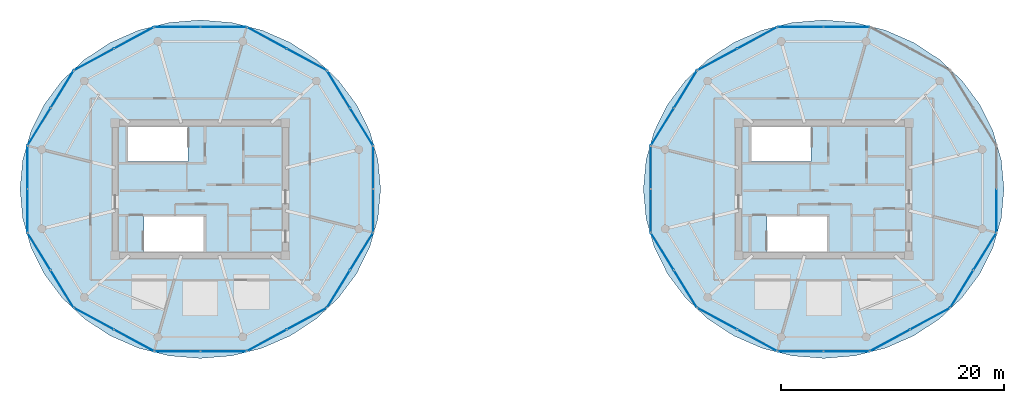
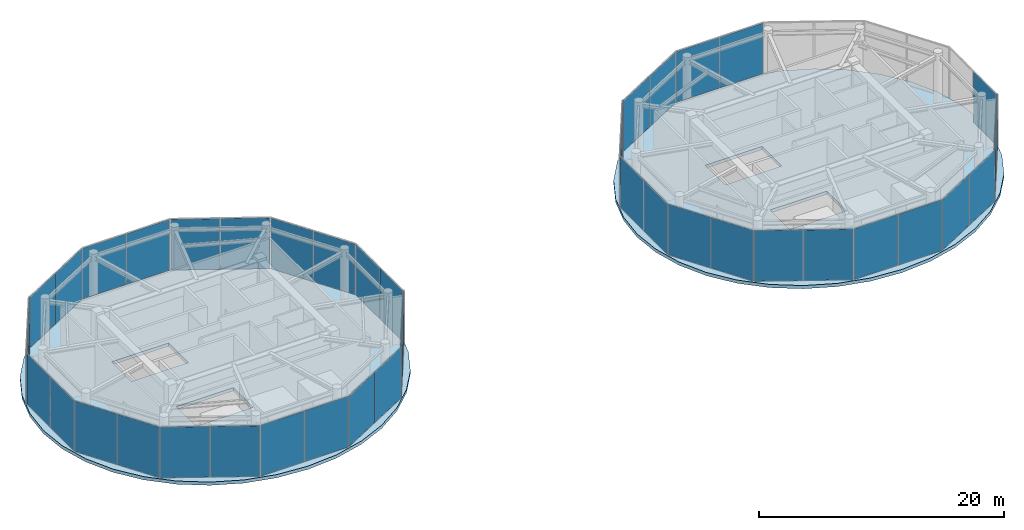
# One storey, part 9 of 15: 43 plates, 2 slabs, 22 elements without a shape of their own.
"""IFC4 building model written with IfcOpenShell, lengths in metres."""

import ifcopenshell
import ifcopenshell.guid

model = None  # the IFC model being written
_history = None  # IfcOwnerHistory: only IFC2X3 demands one
_inside = {}  # id of a spatial element -> (the spatial element, [elements in it])
_under = {}  # id of a project, library or spatial element -> (it, [spatial elements below it])
_declared = {}  # id of a project -> (the project, [libraries it declares])
_typed = {}  # id of a type object -> (the type object, [elements of that type])
_made_of = {}  # id of a material, layer set ... -> (it, [elements and type objects made of it])


def new_model(schema):
    """Start an empty IFC model of exactly this schema.

    Asked for "IFC4X3", IfcOpenShell would pick the latest addendum, in which some entities
    have other attributes; the version numbers below select the first issue.
    IFC2X3 requires an IfcOwnerHistory on every rooted entity: one is made here for all.
    """
    global model, _history
    if schema == "IFC4X3":
        model = ifcopenshell.file(schema_version=(4, 3, 0, 0))
    else:
        model = ifcopenshell.file(schema=schema)
    _inside.clear()
    _under.clear()
    _declared.clear()
    _typed.clear()
    _made_of.clear()
    _history = None
    if model.schema == "IFC2X3":
        org = make("IfcOrganization", Name="unknown")
        user = make(
            "IfcPersonAndOrganization",
            ThePerson=make("IfcPerson", FamilyName="unknown"),
            TheOrganization=org,
        )
        app = make(
            "IfcApplication",
            ApplicationDeveloper=org,
            Version="unknown",
            ApplicationFullName="unknown",
            ApplicationIdentifier="unknown",
        )
        _history = make(
            "IfcOwnerHistory",
            OwningUser=user,
            OwningApplication=app,
            ChangeAction="ADDED",
            CreationDate=0,
        )
    return model


def make(cls, **values):
    """One entity of the class cls with the attributes given. An attribute that is None is left unset."""
    return model.create_entity(
        cls, **{name: value for name, value in values.items() if value is not None}
    )


def rooted(cls, **values):
    """An entity with a GlobalId (a new one), such as an element, a storey or a relation."""
    return make(cls, GlobalId=ifcopenshell.guid.new(), OwnerHistory=_history, **values)


def si_unit(unit_type, name, prefix=None):
    """IfcSIUnit, for example si_unit("LENGTHUNIT", "METRE", prefix="MILLI")."""
    return make("IfcSIUnit", UnitType=unit_type, Prefix=prefix, Name=name)


def assignment(units):
    """IfcUnitAssignment: the units of a project."""
    return None if units is None else make("IfcUnitAssignment", Units=units)


def point(xyz):
    """IfcCartesianPoint."""
    return None if xyz is None else make("IfcCartesianPoint", Coordinates=xyz)


def direction(xyz):
    """IfcDirection."""
    return None if xyz is None else make("IfcDirection", DirectionRatios=xyz)


def frame(location, z_axis=None, x_axis=None):
    """IfcAxis2Placement3D, a coordinate frame: its origin and axes. An axis left out is left unset."""
    return make(
        "IfcAxis2Placement3D",
        Location=point(location),
        Axis=direction(z_axis),
        RefDirection=direction(x_axis),
    )


def frame_2d(location, x_axis=None):
    """IfcAxis2Placement2D, a coordinate frame in the plane: its origin and x axis."""
    return make(
        "IfcAxis2Placement2D", Location=point(location), RefDirection=direction(x_axis)
    )


def origin():
    """The frame at (0, 0, 0) with its axes left unset."""
    return frame((0.0, 0.0, 0.0))


def origin_2d():
    """The frame at (0, 0) in the plane with its x axis left unset."""
    return frame_2d((0.0, 0.0))


def place(relative_to, where):
    """IfcLocalPlacement: puts the frame where relative to a parent placement (None: the world)."""
    return make(
        "IfcLocalPlacement", PlacementRelTo=relative_to, RelativePlacement=where
    )


def context(
    kind, dimensions, precision=None, world=None, true_north=None, identifier=None
):
    """IfcGeometricRepresentationContext, for example the 3D "Model" context."""
    return make(
        "IfcGeometricRepresentationContext",
        ContextIdentifier=identifier,
        ContextType=kind,
        CoordinateSpaceDimension=dimensions,
        Precision=precision,
        WorldCoordinateSystem=world,
        TrueNorth=true_north,
    )


def subcontext(parent, identifier, kind, view, scale=None):
    """IfcGeometricRepresentationSubContext, for example "Body" below "Model"."""
    return make(
        "IfcGeometricRepresentationSubContext",
        ContextIdentifier=identifier,
        ContextType=kind,
        ParentContext=parent,
        TargetScale=scale,
        TargetView=view,
    )


def project(units=None, contexts=None):
    """IfcProject with its units and contexts."""
    return rooted(
        "IfcProject",
        Name="project",
        RepresentationContexts=contexts,
        UnitsInContext=assignment(units),
    )


def spatial(cls, under=None, at=None, **own):
    """A site, building, storey or space (cls), placed at a placement, below another one or the project."""
    s = rooted(cls, ObjectPlacement=at, **own)
    if under is not None:
        _under.setdefault(under.id(), (under, []))[1].append(s)
    return s


def polyline(points):
    """IfcPolyline through the points."""
    return make("IfcPolyline", Points=[point(p) for p in points])


def profile(cls, at=None, kind="AREA", **sizes):
    """A parametric profile (cls). Its sizes go by their IFC names, for example OverallWidth=200.0."""
    return make(cls, ProfileType=kind, Position=at, **sizes)


def rectangle(**sizes):
    """IfcRectangleProfileDef."""
    return profile("IfcRectangleProfileDef", **sizes)


def outline(outer, holes=None, kind="AREA"):
    """IfcArbitraryClosedProfileDef: a profile drawn as a closed curve; with holes, ...WithVoids."""
    if holes is None:
        return make("IfcArbitraryClosedProfileDef", ProfileType=kind, OuterCurve=outer)
    return make(
        "IfcArbitraryProfileDefWithVoids",
        ProfileType=kind,
        OuterCurve=outer,
        InnerCurves=holes,
    )


def extrude(swept, where, along, depth):
    """IfcExtrudedAreaSolid: the profile swept, set in the frame where, extruded along a direction by depth."""
    return make(
        "IfcExtrudedAreaSolid",
        SweptArea=swept,
        Position=where,
        ExtrudedDirection=direction(along),
        Depth=depth,
    )


def shape(context_of_items, identifier, shape_type, items):
    """IfcShapeRepresentation: the items that make up one representation, for example the "Body"."""
    return make(
        "IfcShapeRepresentation",
        ContextOfItems=context_of_items,
        RepresentationIdentifier=identifier,
        RepresentationType=shape_type,
        Items=items,
    )


def source(mapping_origin, context_of_items, identifier, shape_type, items):
    """IfcRepresentationMap: a shape defined once, which mapped items show again and again."""
    return make(
        "IfcRepresentationMap",
        MappingOrigin=mapping_origin,
        MappedRepresentation=shape(context_of_items, identifier, shape_type, items),
    )


def transform(
    local_origin,
    x_axis=None,
    y_axis=None,
    z_axis=None,
    scale=None,
    scale2=None,
    scale3=None,
    uniform=True,
):
    """IfcCartesianTransformationOperator3D, or its non-uniform kind. x_axis, y_axis, z_axis: its Axis1, 2, 3."""
    if uniform:
        return make(
            "IfcCartesianTransformationOperator3D",
            Axis1=direction(x_axis),
            Axis2=direction(y_axis),
            LocalOrigin=point(local_origin),
            Scale=scale,
            Axis3=direction(z_axis),
        )
    return make(
        "IfcCartesianTransformationOperator3DnonUniform",
        Axis1=direction(x_axis),
        Axis2=direction(y_axis),
        LocalOrigin=point(local_origin),
        Scale=scale,
        Axis3=direction(z_axis),
        Scale2=scale2,
        Scale3=scale3,
    )


def mapped(mapping_source, mapping_target):
    """IfcMappedItem: shows the shape of a source again, moved by a transform."""
    return make(
        "IfcMappedItem", MappingSource=mapping_source, MappingTarget=mapping_target
    )


def material(Name=None, Category=None):
    """IfcMaterial."""
    return make("IfcMaterial", Name=Name, Category=Category)


def layer(
    of_material, thickness, ventilated=None, Name=None, Category=None, Priority=None
):
    """IfcMaterialLayer: one layer of a wall or slab, of a material (None: an air gap)."""
    return make(
        "IfcMaterialLayer",
        Material=of_material,
        LayerThickness=thickness,
        IsVentilated=ventilated,
        Name=Name,
        Category=Category,
        Priority=Priority,
    )


def layer_set(layers, Name=None):
    """IfcMaterialLayerSet."""
    return make("IfcMaterialLayerSet", MaterialLayers=layers, LayerSetName=Name)


def made_of(thing, what):
    """Note that an element or type object is made of a material, layer set ...; save() writes the relation."""
    if what is not None:
        _made_of.setdefault(what.id(), (what, []))[1].append(thing)
    return thing


def type_object(cls, material=None, **own):
    """A type object (cls), such as IfcWallType, which elements share."""
    return made_of(rooted(cls, **own), material)


def type_shapes(of_type, sources):
    """Give a type object the sources (RepresentationMaps) that its elements show as mapped items."""
    of_type.RepresentationMaps = sources


def element(
    cls,
    number,
    at=None,
    inside=None,
    cuts=None,
    type_object=None,
    material=None,
    context=None,
    identifier="Body",
    shape_type=None,
    held_by="IfcProductDefinitionShape",
    body=None,
    shapes=None,
    **own,
):
    """One element of the class cls, such as IfcWall. Its Tag is "e" and its number.

    at: its placement. inside: the storey or other place that contains it. cuts: it is an
    opening in that element (IfcRelVoidsElement). A single representation is given by context,
    identifier, shape_type and body (its items); several are given by shapes. held_by: the class
    of the entity that holds the representations. save() writes the other relations.
    """
    e = rooted(cls, Tag="e%d" % number, ObjectPlacement=at, **own)
    if body is not None:
        shapes = [shape(context, identifier, shape_type, body)]
    if shapes is not None:
        e.Representation = make(held_by, Representations=shapes)
    if inside is not None:
        _inside.setdefault(inside.id(), (inside, []))[1].append(e)
    if cuts is not None:
        rooted(
            "IfcRelVoidsElement", RelatingBuildingElement=cuts, RelatedOpeningElement=e
        )
    if type_object is not None:
        _typed.setdefault(type_object.id(), (type_object, []))[1].append(e)
    return made_of(e, material)


def aggregate(whole, parts):
    """IfcRelAggregates: a whole, such as a stair, and the parts it consists of."""
    return rooted("IfcRelAggregates", RelatingObject=whole, RelatedObjects=parts)


def save(model, path):
    """Write the relations noted so far, then the file.

    IfcRelAggregates (storeys below a building ...), IfcRelContainedInSpatialStructure (elements
    in a storey), IfcRelDefinesByType, IfcRelAssociatesMaterial and IfcRelDeclares: one each for
    every whole, place, type object, material and project.
    """
    for whole, parts in _under.values():
        aggregate(whole, parts)
    for where, things in _inside.values():
        rooted(
            "IfcRelContainedInSpatialStructure",
            RelatedElements=things,
            RelatingStructure=where,
        )
    for kind, things in _typed.values():
        rooted("IfcRelDefinesByType", RelatedObjects=things, RelatingType=kind)
    for what, things in _made_of.values():
        rooted("IfcRelAssociatesMaterial", RelatedObjects=things, RelatingMaterial=what)
    for by, libraries in _declared.values():
        rooted("IfcRelDeclares", RelatingContext=by, RelatedDefinitions=libraries)
    model.write(path)


model = new_model("IFC4")

# Units and contexts
model_context = context("Model", 3, precision=1e-05, world=origin(), true_north=direction((0.0, 1.0)))
body_context = subcontext(model_context, "Body", "Model", "MODEL_VIEW")
ifc_project = project(units=[si_unit("LENGTHUNIT", "METRE"), si_unit("AREAUNIT", "SQUARE_METRE"), si_unit("VOLUMEUNIT", "CUBIC_METRE"), si_unit("PLANEANGLEUNIT", "RADIAN"), si_unit("MASSUNIT", "GRAM", prefix="KILO")], contexts=[model_context])

# Site, building, storey
site_placement = place(None, origin())
site = spatial("IfcSite", under=ifc_project, at=site_placement, CompositionType="ELEMENT")
building_placement = place(site_placement, origin())
building = spatial("IfcBuilding", under=site, at=building_placement, Name="Norrkilde Senior Care Towers", CompositionType="ELEMENT")
storey_placement = place(building_placement, frame((0.0, 0.0, 244.39990234375)))
storey = spatial("IfcBuildingStorey", under=building, at=storey_placement, Name="L76", CompositionType="ELEMENT", Elevation=244.39990234375)

# Slabs
ifc_material_1 = material(Name="Concrete C50/60", Category="concrete")
ifc_layer_1 = layer(ifc_material_1, 0.320068359375)
ifc_layer_set_1 = layer_set([ifc_layer_1], Name="Concrete C50/60")
slab_type = type_object("IfcSlabType", Name="Podium Clinic Floor Slab 320", PredefinedType="FLOOR", material=ifc_layer_set_1)
slab_1_placement = place(storey_placement, frame((0.0, 0.0, -0.31982421875)))
element("IfcSlab", 1, at=slab_1_placement, inside=storey, type_object=slab_type, Name="L76 Drum W Structural Floor Slab", PredefinedType="FLOOR", context=body_context, shape_type="SweptSolid", body=[
    extrude(outline(polyline([(-12.777099609375, -5.19873046875), (-13.970458984375, -7.60009765625), (-15.590087890625, -9.770263671875), (-17.5869140625, -11.643798828125), (-19.89990234375, -13.16357421875), (-22.459228515625, -14.283447265625), (-25.18701171875, -14.968994140625), (-28.0, -15.199951171875), (-30.81298828125, -14.968994140625), (-33.540771484375, -14.283447265625), (-36.10009765625, -13.16357421875), (-38.4130859375, -11.643798828125), (-40.409912109375, -9.770263671875), (-42.029541015625, -7.60009765625), (-43.222900390625, -5.19873046875), (-43.953857421875, -2.639404296875), (-44.199951171875, 0.0), (-43.953857421875, 2.639404296875), (-43.222900390625, 5.19873046875), (-42.029541015625, 7.60009765625), (-40.409912109375, 9.770263671875), (-38.4130859375, 11.643798828125), (-36.10009765625, 13.16357421875), (-33.540771484375, 14.283447265625), (-30.81298828125, 14.968994140625), (-28.0, 15.199951171875), (-25.18701171875, 14.968994140625), (-22.459228515625, 14.283447265625), (-19.89990234375, 13.16357421875), (-17.5869140625, 11.643798828125), (-15.590087890625, 9.770263671875), (-13.970458984375, 7.60009765625), (-12.777099609375, 5.19873046875), (-12.046142578125, 2.639404296875), (-11.800048828125, 0.0), (-12.046142578125, -2.639404296875), (-12.777099609375, -5.19873046875)]), holes=[polyline([(-34.48193359375, 2.468017578125), (-29.117919921875, 2.468017578125), (-29.117919921875, 5.68994140625), (-34.48193359375, 5.68994140625), (-34.48193359375, 2.468017578125)]), polyline([(-27.718017578125, -5.68994140625), (-27.718017578125, -2.468017578125), (-33.08203125, -2.468017578125), (-33.08203125, -5.68994140625), (-27.718017578125, -5.68994140625)])]), origin(), (0.0, 0.0, 1.0), 0.31982421875),
])
slab_2_placement = place(storey_placement, frame((0.0, 0.0, -0.31982421875)))
element("IfcSlab", 2, at=slab_2_placement, inside=storey, type_object=slab_type, Name="L76 Drum E Structural Floor Slab", PredefinedType="FLOOR", context=body_context, shape_type="SweptSolid", body=[
    extrude(outline(polyline([(43.222900390625, -5.19873046875), (42.029541015625, -7.60009765625), (40.409912109375, -9.770263671875), (38.4130859375, -11.643798828125), (36.10009765625, -13.16357421875), (33.540771484375, -14.283447265625), (30.81298828125, -14.968994140625), (28.0, -15.199951171875), (25.18701171875, -14.968994140625), (22.459228515625, -14.283447265625), (19.89990234375, -13.16357421875), (17.5869140625, -11.643798828125), (15.590087890625, -9.770263671875), (13.970458984375, -7.60009765625), (12.777099609375, -5.19873046875), (12.046142578125, -2.639404296875), (11.800048828125, 0.0), (12.046142578125, 2.639404296875), (12.777099609375, 5.19873046875), (13.970458984375, 7.60009765625), (15.590087890625, 9.770263671875), (17.5869140625, 11.643798828125), (19.89990234375, 13.16357421875), (22.459228515625, 14.283447265625), (25.18701171875, 14.968994140625), (28.0, 15.199951171875), (30.81298828125, 14.968994140625), (33.540771484375, 14.283447265625), (36.10009765625, 13.16357421875), (38.4130859375, 11.643798828125), (40.409912109375, 9.770263671875), (42.029541015625, 7.60009765625), (43.222900390625, 5.19873046875), (43.953857421875, 2.639404296875), (44.199951171875, 0.0), (43.953857421875, -2.639404296875), (43.222900390625, -5.19873046875)]), holes=[polyline([(21.51806640625, 2.468017578125), (26.882080078125, 2.468017578125), (26.882080078125, 5.68994140625), (21.51806640625, 5.68994140625), (21.51806640625, 2.468017578125)]), polyline([(28.281982421875, -5.68994140625), (28.281982421875, -2.468017578125), (22.91796875, -2.468017578125), (22.91796875, -5.68994140625), (28.281982421875, -5.68994140625)])]), origin(), (0.0, 0.0, 1.0), 0.31982421875),
])

# Curtain wall, plates
ifc_material_2 = material(Name="Triple Low-E Insulated Glazing", Category="glass")
ifc_layer_2 = layer(ifc_material_2, 0.205078125)
ifc_layer_set_2 = layer_set([ifc_layer_2], Name="Triple Low-E Insulated Glazing")
curtain_wall_type = type_object("IfcCurtainWallType", Name="CW7 L76 Damper Lantern Clear Curtain Wall", PredefinedType="NOTDEFINED", material=ifc_layer_set_2)
curtain_wall_1_placement = place(storey_placement, origin())
curtain_wall_1 = element("IfcCurtainWall", 3, at=curtain_wall_1_placement, inside=storey, type_object=curtain_wall_type, Name="L76 Drum W Curtain Wall 00", PredefinedType="NOTDEFINED")
ifc_layer_3 = layer(ifc_material_2, 0.035888671875)
ifc_layer_set_3 = layer_set([ifc_layer_3], Name="Triple Low-E Insulated Glazing")
plate_type = type_object("IfcPlateType", Name="Triple Low-E Vision Curtain Panel 36", PredefinedType="CURTAIN_PANEL", material=ifc_layer_set_3)
shared_shape_1 = source(origin(), body_context, "Body", "SweptSolid", [
    extrude(rectangle(XDim=3.87939453125, YDim=0.035888671875, at=origin_2d()), origin(), (0.0, 0.0, 1.0), 5.054931640625),
])
plate_1_placement = place(storey_placement, frame((-15.581298828125, 8.96044921875, 0.06005859375), z_axis=(0.0, 0.0, 1.0), x_axis=(0.524252726748, -0.851562727283, 0.0)))
plate_1 = element("IfcPlate", 4, at=plate_1_placement, type_object=plate_type, Name="CW-7 panel 1.1", PredefinedType="CURTAIN_PANEL", context=body_context, shape_type="MappedRepresentation", body=[
    mapped(shared_shape_1, transform((0.0, 0.0, 0.0), x_axis=(1.0, 0.0, 0.0), y_axis=(0.0, 1.0, 0.0), z_axis=(0.0, 0.0, 1.0), scale=1.0)),
])
plate_2_placement = place(storey_placement, frame((-13.51611328125, 5.605712890625, 0.06005859375), z_axis=(0.0, 0.0, 1.0), x_axis=(0.524252726748, -0.851562727283, 0.0)))
plate_2 = element("IfcPlate", 5, at=plate_2_placement, type_object=plate_type, Name="CW-7 panel 2.1", PredefinedType="CURTAIN_PANEL", context=body_context, shape_type="MappedRepresentation", body=[
    mapped(shared_shape_1, transform((0.0, 0.0, 0.0), x_axis=(1.0, 0.0, 0.0), y_axis=(0.0, 1.0, 0.0), z_axis=(0.0, 0.0, 1.0), scale=1.0)),
])
aggregate(curtain_wall_1, [plate_1, plate_2])

curtain_wall_2_placement = place(storey_placement, origin())
curtain_wall_2 = element("IfcCurtainWall", 6, at=curtain_wall_2_placement, inside=storey, type_object=curtain_wall_type, Name="L76 Drum W Curtain Wall 04", PredefinedType="NOTDEFINED")
plate_3_placement = place(storey_placement, frame((-42.48388671875, 5.605712890625, 0.06005859375), z_axis=(0.0, 0.0, 1.0), x_axis=(0.524252726748, 0.851562727283, 0.0)))
plate_3 = element("IfcPlate", 7, at=plate_3_placement, type_object=plate_type, Name="CW-7 panel 1.1", PredefinedType="CURTAIN_PANEL", context=body_context, shape_type="MappedRepresentation", body=[
    mapped(shared_shape_1, transform((0.0, 0.0, 0.0), x_axis=(1.0, 0.0, 0.0), y_axis=(0.0, 1.0, 0.0), z_axis=(0.0, 0.0, 1.0), scale=1.0)),
])
plate_4_placement = place(storey_placement, frame((-40.418701171875, 8.96044921875, 0.06005859375), z_axis=(0.0, 0.0, 1.0), x_axis=(0.524252726748, 0.851562727283, 0.0)))
plate_4 = element("IfcPlate", 8, at=plate_4_placement, type_object=plate_type, Name="CW-7 panel 2.1", PredefinedType="CURTAIN_PANEL", context=body_context, shape_type="MappedRepresentation", body=[
    mapped(shared_shape_1, transform((0.0, 0.0, 0.0), x_axis=(1.0, 0.0, 0.0), y_axis=(0.0, 1.0, 0.0), z_axis=(0.0, 0.0, 1.0), scale=1.0)),
])
aggregate(curtain_wall_2, [plate_3, plate_4])

curtain_wall_3_placement = place(storey_placement, origin())
curtain_wall_3 = element("IfcCurtainWall", 9, at=curtain_wall_3_placement, inside=storey, type_object=curtain_wall_type, Name="L76 Drum W Curtain Wall 06", PredefinedType="NOTDEFINED")
plate_5_placement = place(storey_placement, frame((-40.418701171875, -8.96044921875, 0.06005859375), z_axis=(0.0, 0.0, 1.0), x_axis=(-0.524252726748, 0.851562727283, 0.0)))
plate_5 = element("IfcPlate", 10, at=plate_5_placement, type_object=plate_type, Name="CW-7 panel 1.1", PredefinedType="CURTAIN_PANEL", context=body_context, shape_type="MappedRepresentation", body=[
    mapped(shared_shape_1, transform((0.0, 0.0, 0.0), x_axis=(1.0, 0.0, 0.0), y_axis=(0.0, 1.0, 0.0), z_axis=(0.0, 0.0, 1.0), scale=1.0)),
])
plate_6_placement = place(storey_placement, frame((-42.48388671875, -5.605712890625, 0.06005859375), z_axis=(0.0, 0.0, 1.0), x_axis=(-0.524252726748, 0.851562727283, 0.0)))
plate_6 = element("IfcPlate", 11, at=plate_6_placement, type_object=plate_type, Name="CW-7 panel 2.1", PredefinedType="CURTAIN_PANEL", context=body_context, shape_type="MappedRepresentation", body=[
    mapped(shared_shape_1, transform((0.0, 0.0, 0.0), x_axis=(1.0, 0.0, 0.0), y_axis=(0.0, 1.0, 0.0), z_axis=(0.0, 0.0, 1.0), scale=1.0)),
])
aggregate(curtain_wall_3, [plate_5, plate_6])

curtain_wall_4_placement = place(storey_placement, origin())
curtain_wall_4 = element("IfcCurtainWall", 12, at=curtain_wall_4_placement, inside=storey, type_object=curtain_wall_type, Name="L76 Drum W Curtain Wall 10", PredefinedType="NOTDEFINED")
plate_7_placement = place(storey_placement, frame((-13.51611328125, -5.605712890625, 0.06005859375), z_axis=(0.0, 0.0, 1.0), x_axis=(-0.524252726748, -0.851562727283, 0.0)))
plate_7 = element("IfcPlate", 13, at=plate_7_placement, type_object=plate_type, Name="CW-7 panel 1.1", PredefinedType="CURTAIN_PANEL", context=body_context, shape_type="MappedRepresentation", body=[
    mapped(shared_shape_1, transform((0.0, 0.0, 0.0), x_axis=(1.0, 0.0, 0.0), y_axis=(0.0, 1.0, 0.0), z_axis=(0.0, 0.0, 1.0), scale=1.0)),
])
plate_8_placement = place(storey_placement, frame((-15.581298828125, -8.96044921875, 0.06005859375), z_axis=(0.0, 0.0, 1.0), x_axis=(-0.524252726748, -0.851562727283, 0.0)))
plate_8 = element("IfcPlate", 14, at=plate_8_placement, type_object=plate_type, Name="CW-7 panel 2.1", PredefinedType="CURTAIN_PANEL", context=body_context, shape_type="MappedRepresentation", body=[
    mapped(shared_shape_1, transform((0.0, 0.0, 0.0), x_axis=(1.0, 0.0, 0.0), y_axis=(0.0, 1.0, 0.0), z_axis=(0.0, 0.0, 1.0), scale=1.0)),
])
aggregate(curtain_wall_4, [plate_7, plate_8])

curtain_wall_5_placement = place(storey_placement, origin())
curtain_wall_5 = element("IfcCurtainWall", 15, at=curtain_wall_5_placement, inside=storey, type_object=curtain_wall_type, Name="L76 Drum E Curtain Wall 04", PredefinedType="NOTDEFINED")
plate_9_placement = place(storey_placement, frame((13.51611328125, 5.605712890625, 0.06005859375), z_axis=(0.0, 0.0, 1.0), x_axis=(0.524252726748, 0.851562727283, 0.0)))
plate_9 = element("IfcPlate", 16, at=plate_9_placement, type_object=plate_type, Name="CW-7 panel 1.1", PredefinedType="CURTAIN_PANEL", context=body_context, shape_type="MappedRepresentation", body=[
    mapped(shared_shape_1, transform((0.0, 0.0, 0.0), x_axis=(1.0, 0.0, 0.0), y_axis=(0.0, 1.0, 0.0), z_axis=(0.0, 0.0, 1.0), scale=1.0)),
])
plate_10_placement = place(storey_placement, frame((15.581298828125, 8.96044921875, 0.06005859375), z_axis=(0.0, 0.0, 1.0), x_axis=(0.524252726748, 0.851562727283, 0.0)))
plate_10 = element("IfcPlate", 17, at=plate_10_placement, type_object=plate_type, Name="CW-7 panel 2.1", PredefinedType="CURTAIN_PANEL", context=body_context, shape_type="MappedRepresentation", body=[
    mapped(shared_shape_1, transform((0.0, 0.0, 0.0), x_axis=(1.0, 0.0, 0.0), y_axis=(0.0, 1.0, 0.0), z_axis=(0.0, 0.0, 1.0), scale=1.0)),
])
aggregate(curtain_wall_5, [plate_9, plate_10])

curtain_wall_6_placement = place(storey_placement, origin())
curtain_wall_6 = element("IfcCurtainWall", 18, at=curtain_wall_6_placement, inside=storey, type_object=curtain_wall_type, Name="L76 Drum E Curtain Wall 06", PredefinedType="NOTDEFINED")
plate_11_placement = place(storey_placement, frame((15.581298828125, -8.96044921875, 0.06005859375), z_axis=(0.0, 0.0, 1.0), x_axis=(-0.524252726748, 0.851562727283, 0.0)))
plate_11 = element("IfcPlate", 19, at=plate_11_placement, type_object=plate_type, Name="CW-7 panel 1.1", PredefinedType="CURTAIN_PANEL", context=body_context, shape_type="MappedRepresentation", body=[
    mapped(shared_shape_1, transform((0.0, 0.0, 0.0), x_axis=(1.0, 0.0, 0.0), y_axis=(0.0, 1.0, 0.0), z_axis=(0.0, 0.0, 1.0), scale=1.0)),
])
plate_12_placement = place(storey_placement, frame((13.51611328125, -5.605712890625, 0.06005859375), z_axis=(0.0, 0.0, 1.0), x_axis=(-0.524252726748, 0.851562727283, 0.0)))
plate_12 = element("IfcPlate", 20, at=plate_12_placement, type_object=plate_type, Name="CW-7 panel 2.1", PredefinedType="CURTAIN_PANEL", context=body_context, shape_type="MappedRepresentation", body=[
    mapped(shared_shape_1, transform((0.0, 0.0, 0.0), x_axis=(1.0, 0.0, 0.0), y_axis=(0.0, 1.0, 0.0), z_axis=(0.0, 0.0, 1.0), scale=1.0)),
])
aggregate(curtain_wall_6, [plate_11, plate_12])

curtain_wall_7_placement = place(storey_placement, origin())
curtain_wall_7 = element("IfcCurtainWall", 21, at=curtain_wall_7_placement, inside=storey, type_object=curtain_wall_type, Name="L76 Drum E Curtain Wall 10", PredefinedType="NOTDEFINED")
plate_13_placement = place(storey_placement, frame((42.48388671875, -5.605712890625, 0.06005859375), z_axis=(0.0, 0.0, 1.0), x_axis=(-0.524252726748, -0.851562727283, 0.0)))
plate_13 = element("IfcPlate", 22, at=plate_13_placement, type_object=plate_type, Name="CW-7 panel 1.1", PredefinedType="CURTAIN_PANEL", context=body_context, shape_type="MappedRepresentation", body=[
    mapped(shared_shape_1, transform((0.0, 0.0, 0.0), x_axis=(1.0, 0.0, 0.0), y_axis=(0.0, 1.0, 0.0), z_axis=(0.0, 0.0, 1.0), scale=1.0)),
])
plate_14_placement = place(storey_placement, frame((40.418701171875, -8.96044921875, 0.06005859375), z_axis=(0.0, 0.0, 1.0), x_axis=(-0.524252726748, -0.851562727283, 0.0)))
plate_14 = element("IfcPlate", 23, at=plate_14_placement, type_object=plate_type, Name="CW-7 panel 2.1", PredefinedType="CURTAIN_PANEL", context=body_context, shape_type="MappedRepresentation", body=[
    mapped(shared_shape_1, transform((0.0, 0.0, 0.0), x_axis=(1.0, 0.0, 0.0), y_axis=(0.0, 1.0, 0.0), z_axis=(0.0, 0.0, 1.0), scale=1.0)),
])
aggregate(curtain_wall_7, [plate_13, plate_14])

curtain_wall_8_placement = place(storey_placement, origin())
curtain_wall_8 = element("IfcCurtainWall", 24, at=curtain_wall_8_placement, inside=storey, type_object=curtain_wall_type, Name="L76 Drum W Curtain Wall 01", PredefinedType="NOTDEFINED")
shared_shape_2 = source(origin(), body_context, "Body", "SweptSolid", [
    extrude(rectangle(XDim=4.008544921875, YDim=0.035888671875, at=origin_2d()), origin(), (0.0, 0.0, 1.0), 5.054931640625),
])
plate_15_placement = place(storey_placement, frame((-22.02294921875, 13.583251953125, 0.06005859375), z_axis=(0.0, 0.0, 1.0), x_axis=(0.879373455772, -0.476132676136, 0.0)))
plate_15 = element("IfcPlate", 25, at=plate_15_placement, type_object=plate_type, Name="CW-7 panel 1.1", PredefinedType="CURTAIN_PANEL", context=body_context, shape_type="MappedRepresentation", body=[
    mapped(shared_shape_2, transform((0.0, 0.0, 0.0), x_axis=(1.0, 0.0, 0.0), y_axis=(0.0, 1.0, 0.0), z_axis=(0.0, 0.0, 1.0), scale=1.0)),
])
plate_16_placement = place(storey_placement, frame((-18.445068359375, 11.64599609375, 0.06005859375), z_axis=(0.0, 0.0, 1.0), x_axis=(0.879373455772, -0.476132676136, 0.0)))
plate_16 = element("IfcPlate", 26, at=plate_16_placement, type_object=plate_type, Name="CW-7 panel 2.1", PredefinedType="CURTAIN_PANEL", context=body_context, shape_type="MappedRepresentation", body=[
    mapped(shared_shape_2, transform((0.0, 0.0, 0.0), x_axis=(1.0, 0.0, 0.0), y_axis=(0.0, 1.0, 0.0), z_axis=(0.0, 0.0, 1.0), scale=1.0)),
])
aggregate(curtain_wall_8, [plate_15, plate_16])

curtain_wall_9_placement = place(storey_placement, origin())
curtain_wall_9 = element("IfcCurtainWall", 27, at=curtain_wall_9_placement, inside=storey, type_object=curtain_wall_type, Name="L76 Drum W Curtain Wall 03", PredefinedType="NOTDEFINED")
plate_17_placement = place(storey_placement, frame((-37.554931640625, 11.64599609375, 0.06005859375), z_axis=(0.0, 0.0, 1.0), x_axis=(0.879373455772, 0.476132676136, 0.0)))
plate_17 = element("IfcPlate", 28, at=plate_17_placement, type_object=plate_type, Name="CW-7 panel 1.1", PredefinedType="CURTAIN_PANEL", context=body_context, shape_type="MappedRepresentation", body=[
    mapped(shared_shape_2, transform((0.0, 0.0, 0.0), x_axis=(1.0, 0.0, 0.0), y_axis=(0.0, 1.0, 0.0), z_axis=(0.0, 0.0, 1.0), scale=1.0)),
])
plate_18_placement = place(storey_placement, frame((-33.97705078125, 13.583251953125, 0.06005859375), z_axis=(0.0, 0.0, 1.0), x_axis=(0.879373455772, 0.476132676136, 0.0)))
plate_18 = element("IfcPlate", 29, at=plate_18_placement, type_object=plate_type, Name="CW-7 panel 2.1", PredefinedType="CURTAIN_PANEL", context=body_context, shape_type="MappedRepresentation", body=[
    mapped(shared_shape_2, transform((0.0, 0.0, 0.0), x_axis=(1.0, 0.0, 0.0), y_axis=(0.0, 1.0, 0.0), z_axis=(0.0, 0.0, 1.0), scale=1.0)),
])
aggregate(curtain_wall_9, [plate_17, plate_18])

curtain_wall_10_placement = place(storey_placement, origin())
curtain_wall_10 = element("IfcCurtainWall", 30, at=curtain_wall_10_placement, inside=storey, type_object=curtain_wall_type, Name="L76 Drum W Curtain Wall 07", PredefinedType="NOTDEFINED")
plate_19_placement = place(storey_placement, frame((-33.97705078125, -13.583251953125, 0.06005859375), z_axis=(0.0, 0.0, 1.0), x_axis=(-0.879373455772, 0.476132676136, 0.0)))
plate_19 = element("IfcPlate", 31, at=plate_19_placement, type_object=plate_type, Name="CW-7 panel 1.1", PredefinedType="CURTAIN_PANEL", context=body_context, shape_type="MappedRepresentation", body=[
    mapped(shared_shape_2, transform((0.0, 0.0, 0.0), x_axis=(1.0, 0.0, 0.0), y_axis=(0.0, 1.0, 0.0), z_axis=(0.0, 0.0, 1.0), scale=1.0)),
])
plate_20_placement = place(storey_placement, frame((-37.554931640625, -11.64599609375, 0.06005859375), z_axis=(0.0, 0.0, 1.0), x_axis=(-0.879373455772, 0.476132676136, 0.0)))
plate_20 = element("IfcPlate", 32, at=plate_20_placement, type_object=plate_type, Name="CW-7 panel 2.1", PredefinedType="CURTAIN_PANEL", context=body_context, shape_type="MappedRepresentation", body=[
    mapped(shared_shape_2, transform((0.0, 0.0, 0.0), x_axis=(1.0, 0.0, 0.0), y_axis=(0.0, 1.0, 0.0), z_axis=(0.0, 0.0, 1.0), scale=1.0)),
])
aggregate(curtain_wall_10, [plate_19, plate_20])

curtain_wall_11_placement = place(storey_placement, origin())
curtain_wall_11 = element("IfcCurtainWall", 33, at=curtain_wall_11_placement, inside=storey, type_object=curtain_wall_type, Name="L76 Drum W Curtain Wall 09", PredefinedType="NOTDEFINED")
plate_21_placement = place(storey_placement, frame((-18.445068359375, -11.64599609375, 0.06005859375), z_axis=(0.0, 0.0, 1.0), x_axis=(-0.879373455772, -0.476132676136, 0.0)))
plate_21 = element("IfcPlate", 34, at=plate_21_placement, type_object=plate_type, Name="CW-7 panel 1.1", PredefinedType="CURTAIN_PANEL", context=body_context, shape_type="MappedRepresentation", body=[
    mapped(shared_shape_2, transform((0.0, 0.0, 0.0), x_axis=(1.0, 0.0, 0.0), y_axis=(0.0, 1.0, 0.0), z_axis=(0.0, 0.0, 1.0), scale=1.0)),
])
plate_22_placement = place(storey_placement, frame((-22.02294921875, -13.583251953125, 0.06005859375), z_axis=(0.0, 0.0, 1.0), x_axis=(-0.879373455772, -0.476132676136, 0.0)))
plate_22 = element("IfcPlate", 35, at=plate_22_placement, type_object=plate_type, Name="CW-7 panel 2.1", PredefinedType="CURTAIN_PANEL", context=body_context, shape_type="MappedRepresentation", body=[
    mapped(shared_shape_2, transform((0.0, 0.0, 0.0), x_axis=(1.0, 0.0, 0.0), y_axis=(0.0, 1.0, 0.0), z_axis=(0.0, 0.0, 1.0), scale=1.0)),
])
aggregate(curtain_wall_11, [plate_21, plate_22])

curtain_wall_12_placement = place(storey_placement, origin())
curtain_wall_12 = element("IfcCurtainWall", 36, at=curtain_wall_12_placement, inside=storey, type_object=curtain_wall_type, Name="L76 Drum E Curtain Wall 03", PredefinedType="NOTDEFINED")
plate_23_placement = place(storey_placement, frame((18.445068359375, 11.64599609375, 0.06005859375), z_axis=(0.0, 0.0, 1.0), x_axis=(0.879373455772, 0.476132676136, 0.0)))
plate_23 = element("IfcPlate", 37, at=plate_23_placement, type_object=plate_type, Name="CW-7 panel 1.1", PredefinedType="CURTAIN_PANEL", context=body_context, shape_type="MappedRepresentation", body=[
    mapped(shared_shape_2, transform((0.0, 0.0, 0.0), x_axis=(1.0, 0.0, 0.0), y_axis=(0.0, 1.0, 0.0), z_axis=(0.0, 0.0, 1.0), scale=1.0)),
])
plate_24_placement = place(storey_placement, frame((22.02294921875, 13.583251953125, 0.06005859375), z_axis=(0.0, 0.0, 1.0), x_axis=(0.879373455772, 0.476132676136, 0.0)))
plate_24 = element("IfcPlate", 38, at=plate_24_placement, type_object=plate_type, Name="CW-7 panel 2.1", PredefinedType="CURTAIN_PANEL", context=body_context, shape_type="MappedRepresentation", body=[
    mapped(shared_shape_2, transform((0.0, 0.0, 0.0), x_axis=(1.0, 0.0, 0.0), y_axis=(0.0, 1.0, 0.0), z_axis=(0.0, 0.0, 1.0), scale=1.0)),
])
aggregate(curtain_wall_12, [plate_23, plate_24])

curtain_wall_13_placement = place(storey_placement, origin())
curtain_wall_13 = element("IfcCurtainWall", 39, at=curtain_wall_13_placement, inside=storey, type_object=curtain_wall_type, Name="L76 Drum E Curtain Wall 07", PredefinedType="NOTDEFINED")
plate_25_placement = place(storey_placement, frame((22.02294921875, -13.583251953125, 0.06005859375), z_axis=(0.0, 0.0, 1.0), x_axis=(-0.879373455772, 0.476132676136, 0.0)))
plate_25 = element("IfcPlate", 40, at=plate_25_placement, type_object=plate_type, Name="CW-7 panel 1.1", PredefinedType="CURTAIN_PANEL", context=body_context, shape_type="MappedRepresentation", body=[
    mapped(shared_shape_2, transform((0.0, 0.0, 0.0), x_axis=(1.0, 0.0, 0.0), y_axis=(0.0, 1.0, 0.0), z_axis=(0.0, 0.0, 1.0), scale=1.0)),
])
plate_26_placement = place(storey_placement, frame((18.445068359375, -11.64599609375, 0.06005859375), z_axis=(0.0, 0.0, 1.0), x_axis=(-0.879373455772, 0.476132676136, 0.0)))
plate_26 = element("IfcPlate", 41, at=plate_26_placement, type_object=plate_type, Name="CW-7 panel 2.1", PredefinedType="CURTAIN_PANEL", context=body_context, shape_type="MappedRepresentation", body=[
    mapped(shared_shape_2, transform((0.0, 0.0, 0.0), x_axis=(1.0, 0.0, 0.0), y_axis=(0.0, 1.0, 0.0), z_axis=(0.0, 0.0, 1.0), scale=1.0)),
])
aggregate(curtain_wall_13, [plate_25, plate_26])

curtain_wall_14_placement = place(storey_placement, origin())
curtain_wall_14 = element("IfcCurtainWall", 42, at=curtain_wall_14_placement, inside=storey, type_object=curtain_wall_type, Name="L76 Drum E Curtain Wall 09", PredefinedType="NOTDEFINED")
plate_27_placement = place(storey_placement, frame((37.554931640625, -11.64599609375, 0.06005859375), z_axis=(0.0, 0.0, 1.0), x_axis=(-0.879373455772, -0.476132676136, 0.0)))
plate_27 = element("IfcPlate", 43, at=plate_27_placement, type_object=plate_type, Name="CW-7 panel 1.1", PredefinedType="CURTAIN_PANEL", context=body_context, shape_type="MappedRepresentation", body=[
    mapped(shared_shape_2, transform((0.0, 0.0, 0.0), x_axis=(1.0, 0.0, 0.0), y_axis=(0.0, 1.0, 0.0), z_axis=(0.0, 0.0, 1.0), scale=1.0)),
])
plate_28_placement = place(storey_placement, frame((33.97705078125, -13.583251953125, 0.06005859375), z_axis=(0.0, 0.0, 1.0), x_axis=(-0.879373455772, -0.476132676136, 0.0)))
plate_28 = element("IfcPlate", 44, at=plate_28_placement, type_object=plate_type, Name="CW-7 panel 2.1", PredefinedType="CURTAIN_PANEL", context=body_context, shape_type="MappedRepresentation", body=[
    mapped(shared_shape_2, transform((0.0, 0.0, 0.0), x_axis=(1.0, 0.0, 0.0), y_axis=(0.0, 1.0, 0.0), z_axis=(0.0, 0.0, 1.0), scale=1.0)),
])
aggregate(curtain_wall_14, [plate_27, plate_28])

curtain_wall_15_placement = place(storey_placement, origin())
curtain_wall_15 = element("IfcCurtainWall", 45, at=curtain_wall_15_placement, inside=storey, type_object=curtain_wall_type, Name="L76 Drum W Curtain Wall 02", PredefinedType="NOTDEFINED")
shared_shape_3 = source(origin(), body_context, "Body", "SweptSolid", [
    extrude(rectangle(XDim=4.07177734375, YDim=0.035888671875, at=origin_2d()), origin(), (0.0, 0.0, 1.0), 5.054931640625),
])
plate_29_placement = place(storey_placement, frame((-30.06591796875, 14.566162109375, 0.06005859375), z_axis=(0.0, 0.0, 1.0), x_axis=(1.0, 0.0, 0.0)))
plate_29 = element("IfcPlate", 46, at=plate_29_placement, type_object=plate_type, Name="CW-7 panel 1.1", PredefinedType="CURTAIN_PANEL", context=body_context, shape_type="MappedRepresentation", body=[
    mapped(shared_shape_3, transform((0.0, 0.0, 0.0), x_axis=(1.0, 0.0, 0.0), y_axis=(0.0, 1.0, 0.0), z_axis=(0.0, 0.0, 1.0), scale=1.0)),
])
plate_30_placement = place(storey_placement, frame((-25.93408203125, 14.566162109375, 0.06005859375), z_axis=(0.0, 0.0, 1.0), x_axis=(1.0, 0.0, 0.0)))
plate_30 = element("IfcPlate", 47, at=plate_30_placement, type_object=plate_type, Name="CW-7 panel 2.1", PredefinedType="CURTAIN_PANEL", context=body_context, shape_type="MappedRepresentation", body=[
    mapped(shared_shape_3, transform((0.0, 0.0, 0.0), x_axis=(1.0, 0.0, 0.0), y_axis=(0.0, 1.0, 0.0), z_axis=(0.0, 0.0, 1.0), scale=1.0)),
])
aggregate(curtain_wall_15, [plate_29, plate_30])

curtain_wall_16_placement = place(storey_placement, origin())
curtain_wall_16 = element("IfcCurtainWall", 48, at=curtain_wall_16_placement, inside=storey, type_object=curtain_wall_type, Name="L76 Drum W Curtain Wall 08", PredefinedType="NOTDEFINED")
plate_31_placement = place(storey_placement, frame((-25.93408203125, -14.566162109375, 0.06005859375), z_axis=(0.0, 0.0, 1.0), x_axis=(-1.0, 0.0, 0.0)))
plate_31 = element("IfcPlate", 49, at=plate_31_placement, type_object=plate_type, Name="CW-7 panel 1.1", PredefinedType="CURTAIN_PANEL", context=body_context, shape_type="MappedRepresentation", body=[
    mapped(shared_shape_3, transform((0.0, 0.0, 0.0), x_axis=(1.0, 0.0, 0.0), y_axis=(0.0, 1.0, 0.0), z_axis=(0.0, 0.0, 1.0), scale=1.0)),
])
plate_32_placement = place(storey_placement, frame((-30.06591796875, -14.566162109375, 0.06005859375), z_axis=(0.0, 0.0, 1.0), x_axis=(-1.0, 0.0, 0.0)))
plate_32 = element("IfcPlate", 50, at=plate_32_placement, type_object=plate_type, Name="CW-7 panel 2.1", PredefinedType="CURTAIN_PANEL", context=body_context, shape_type="MappedRepresentation", body=[
    mapped(shared_shape_3, transform((0.0, 0.0, 0.0), x_axis=(1.0, 0.0, 0.0), y_axis=(0.0, 1.0, 0.0), z_axis=(0.0, 0.0, 1.0), scale=1.0)),
])
aggregate(curtain_wall_16, [plate_31, plate_32])

curtain_wall_17_placement = place(storey_placement, origin())
curtain_wall_17 = element("IfcCurtainWall", 51, at=curtain_wall_17_placement, inside=storey, type_object=curtain_wall_type, Name="L76 Drum E Curtain Wall 02", PredefinedType="NOTDEFINED")
plate_33_placement = place(storey_placement, frame((25.93408203125, 14.566162109375, 0.06005859375), z_axis=(0.0, 0.0, 1.0), x_axis=(1.0, 0.0, 0.0)))
plate_33 = element("IfcPlate", 52, at=plate_33_placement, type_object=plate_type, Name="CW-7 panel 1.1", PredefinedType="CURTAIN_PANEL", context=body_context, shape_type="MappedRepresentation", body=[
    mapped(shared_shape_3, transform((0.0, 0.0, 0.0), x_axis=(1.0, 0.0, 0.0), y_axis=(0.0, 1.0, 0.0), z_axis=(0.0, 0.0, 1.0), scale=1.0)),
])
plate_34_placement = place(storey_placement, frame((30.06591796875, 14.566162109375, 0.06005859375), z_axis=(0.0, 0.0, 1.0), x_axis=(1.0, 0.0, 0.0)))
plate_34 = element("IfcPlate", 53, at=plate_34_placement, type_object=plate_type, Name="CW-7 panel 2.1", PredefinedType="CURTAIN_PANEL", context=body_context, shape_type="MappedRepresentation", body=[
    mapped(shared_shape_3, transform((0.0, 0.0, 0.0), x_axis=(1.0, 0.0, 0.0), y_axis=(0.0, 1.0, 0.0), z_axis=(0.0, 0.0, 1.0), scale=1.0)),
])
aggregate(curtain_wall_17, [plate_33, plate_34])

curtain_wall_18_placement = place(storey_placement, origin())
curtain_wall_18 = element("IfcCurtainWall", 54, at=curtain_wall_18_placement, inside=storey, type_object=curtain_wall_type, Name="L76 Drum E Curtain Wall 08", PredefinedType="NOTDEFINED")
plate_35_placement = place(storey_placement, frame((30.06591796875, -14.566162109375, 0.06005859375), z_axis=(0.0, 0.0, 1.0), x_axis=(-1.0, 0.0, 0.0)))
plate_35 = element("IfcPlate", 55, at=plate_35_placement, type_object=plate_type, Name="CW-7 panel 1.1", PredefinedType="CURTAIN_PANEL", context=body_context, shape_type="MappedRepresentation", body=[
    mapped(shared_shape_3, transform((0.0, 0.0, 0.0), x_axis=(1.0, 0.0, 0.0), y_axis=(0.0, 1.0, 0.0), z_axis=(0.0, 0.0, 1.0), scale=1.0)),
])
plate_36_placement = place(storey_placement, frame((25.93408203125, -14.566162109375, 0.06005859375), z_axis=(0.0, 0.0, 1.0), x_axis=(-1.0, 0.0, 0.0)))
plate_36 = element("IfcPlate", 56, at=plate_36_placement, type_object=plate_type, Name="CW-7 panel 2.1", PredefinedType="CURTAIN_PANEL", context=body_context, shape_type="MappedRepresentation", body=[
    mapped(shared_shape_3, transform((0.0, 0.0, 0.0), x_axis=(1.0, 0.0, 0.0), y_axis=(0.0, 1.0, 0.0), z_axis=(0.0, 0.0, 1.0), scale=1.0)),
])
aggregate(curtain_wall_18, [plate_35, plate_36])

curtain_wall_19_placement = place(storey_placement, origin())
curtain_wall_19 = element("IfcCurtainWall", 57, at=curtain_wall_19_placement, inside=storey, type_object=curtain_wall_type, Name="L76 Drum W Curtain Wall 05", PredefinedType="NOTDEFINED")
shared_shape_4 = source(origin(), body_context, "Body", "SweptSolid", [
    extrude(rectangle(XDim=3.81298828125, YDim=0.035888671875, at=origin_2d()), origin(), (0.0, 0.0, 1.0), 5.054931640625),
])
type_shapes(plate_type, [shared_shape_1, shared_shape_2, shared_shape_3, shared_shape_4])
plate_37_placement = place(storey_placement, frame((-43.531982421875, -1.9365234375, 0.06005859375), z_axis=(0.0, 0.0, 1.0), x_axis=(0.0, 1.0, 0.0)))
plate_37 = element("IfcPlate", 58, at=plate_37_placement, type_object=plate_type, Name="CW-7 panel 1.1", PredefinedType="CURTAIN_PANEL", context=body_context, shape_type="MappedRepresentation", body=[
    mapped(shared_shape_4, transform((0.0, 0.0, 0.0), x_axis=(1.0, 0.0, 0.0), y_axis=(0.0, 1.0, 0.0), z_axis=(0.0, 0.0, 1.0), scale=1.0)),
])
plate_38_placement = place(storey_placement, frame((-43.531982421875, 1.9365234375, 0.06005859375), z_axis=(0.0, 0.0, 1.0), x_axis=(0.0, 1.0, 0.0)))
plate_38 = element("IfcPlate", 59, at=plate_38_placement, type_object=plate_type, Name="CW-7 panel 2.1", PredefinedType="CURTAIN_PANEL", context=body_context, shape_type="MappedRepresentation", body=[
    mapped(shared_shape_4, transform((0.0, 0.0, 0.0), x_axis=(1.0, 0.0, 0.0), y_axis=(0.0, 1.0, 0.0), z_axis=(0.0, 0.0, 1.0), scale=1.0)),
])
aggregate(curtain_wall_19, [plate_37, plate_38])

curtain_wall_20_placement = place(storey_placement, origin())
curtain_wall_20 = element("IfcCurtainWall", 60, at=curtain_wall_20_placement, inside=storey, type_object=curtain_wall_type, Name="L76 Drum W Curtain Wall 11", PredefinedType="NOTDEFINED")
plate_39_placement = place(storey_placement, frame((-12.468017578125, 1.9365234375, 0.06005859375), z_axis=(0.0, 0.0, 1.0), x_axis=(0.0, -1.0, 0.0)))
plate_39 = element("IfcPlate", 61, at=plate_39_placement, type_object=plate_type, Name="CW-7 panel 1.1", PredefinedType="CURTAIN_PANEL", context=body_context, shape_type="MappedRepresentation", body=[
    mapped(shared_shape_4, transform((0.0, 0.0, 0.0), x_axis=(1.0, 0.0, 0.0), y_axis=(0.0, 1.0, 0.0), z_axis=(0.0, 0.0, 1.0), scale=1.0)),
])
plate_40_placement = place(storey_placement, frame((-12.468017578125, -1.9365234375, 0.06005859375), z_axis=(0.0, 0.0, 1.0), x_axis=(0.0, -1.0, 0.0)))
plate_40 = element("IfcPlate", 62, at=plate_40_placement, type_object=plate_type, Name="CW-7 panel 2.1", PredefinedType="CURTAIN_PANEL", context=body_context, shape_type="MappedRepresentation", body=[
    mapped(shared_shape_4, transform((0.0, 0.0, 0.0), x_axis=(1.0, 0.0, 0.0), y_axis=(0.0, 1.0, 0.0), z_axis=(0.0, 0.0, 1.0), scale=1.0)),
])
aggregate(curtain_wall_20, [plate_39, plate_40])

curtain_wall_21_placement = place(storey_placement, origin())
curtain_wall_21 = element("IfcCurtainWall", 63, at=curtain_wall_21_placement, inside=storey, type_object=curtain_wall_type, Name="L76 Drum E Curtain Wall 05", PredefinedType="NOTDEFINED")
plate_41_placement = place(storey_placement, frame((12.468017578125, -1.9365234375, 0.06005859375), z_axis=(0.0, 0.0, 1.0), x_axis=(0.0, 1.0, 0.0)))
plate_41 = element("IfcPlate", 64, at=plate_41_placement, type_object=plate_type, Name="CW-7 panel 1.1", PredefinedType="CURTAIN_PANEL", context=body_context, shape_type="MappedRepresentation", body=[
    mapped(shared_shape_4, transform((0.0, 0.0, 0.0), x_axis=(1.0, 0.0, 0.0), y_axis=(0.0, 1.0, 0.0), z_axis=(0.0, 0.0, 1.0), scale=1.0)),
])
plate_42_placement = place(storey_placement, frame((12.468017578125, 1.9365234375, 0.06005859375), z_axis=(0.0, 0.0, 1.0), x_axis=(0.0, 1.0, 0.0)))
plate_42 = element("IfcPlate", 65, at=plate_42_placement, type_object=plate_type, Name="CW-7 panel 2.1", PredefinedType="CURTAIN_PANEL", context=body_context, shape_type="MappedRepresentation", body=[
    mapped(shared_shape_4, transform((0.0, 0.0, 0.0), x_axis=(1.0, 0.0, 0.0), y_axis=(0.0, 1.0, 0.0), z_axis=(0.0, 0.0, 1.0), scale=1.0)),
])
aggregate(curtain_wall_21, [plate_41, plate_42])

# Curtain wall, plate
curtain_wall_22_placement = place(storey_placement, origin())
curtain_wall_22 = element("IfcCurtainWall", 66, at=curtain_wall_22_placement, inside=storey, type_object=curtain_wall_type, Name="L76 Drum E Curtain Wall 11", PredefinedType="NOTDEFINED")
plate_43_placement = place(storey_placement, frame((43.531982421875, -1.9365234375, 0.06005859375), z_axis=(0.0, 0.0, 1.0), x_axis=(0.0, -1.0, 0.0)))
plate_43 = element("IfcPlate", 67, at=plate_43_placement, type_object=plate_type, Name="CW-7 panel 2.1", PredefinedType="CURTAIN_PANEL", context=body_context, shape_type="MappedRepresentation", body=[
    mapped(shared_shape_4, transform((0.0, 0.0, 0.0), x_axis=(1.0, 0.0, 0.0), y_axis=(0.0, 1.0, 0.0), z_axis=(0.0, 0.0, 1.0), scale=1.0)),
])
aggregate(curtain_wall_22, [plate_43])

save(model, "model.ifc")
